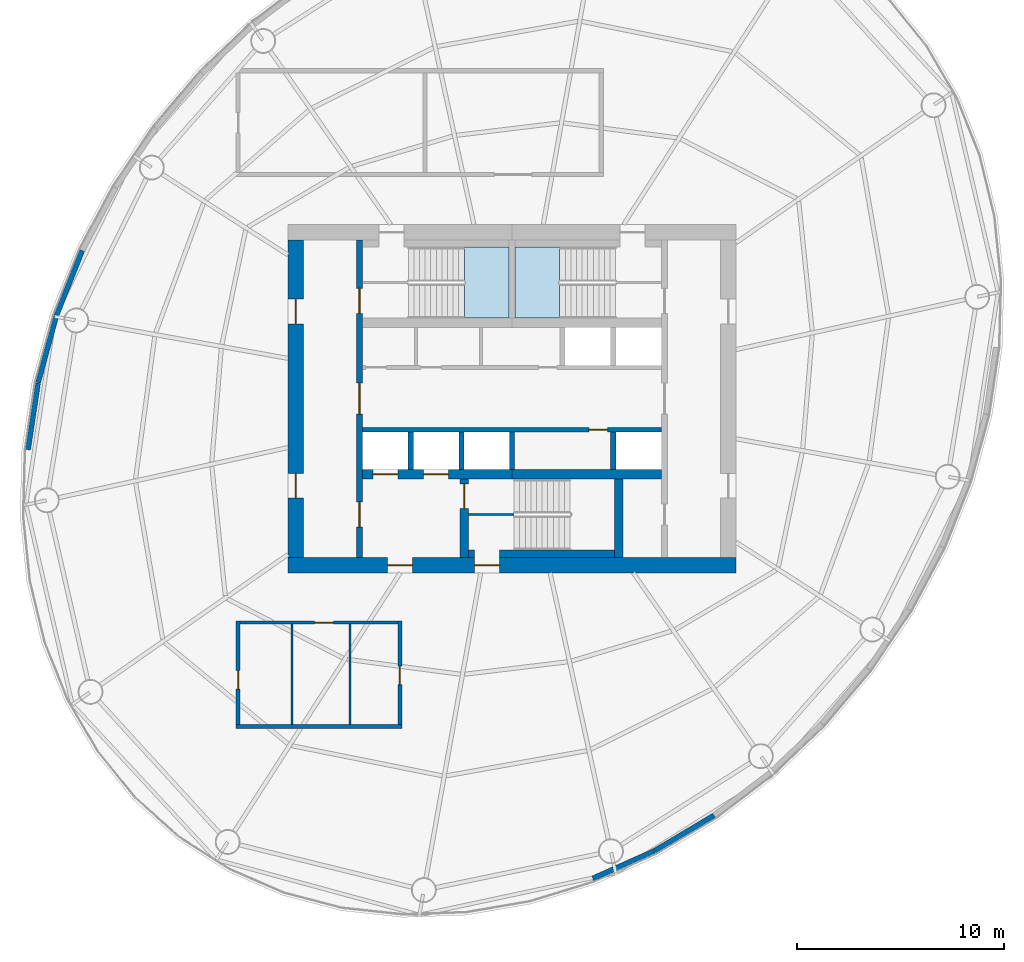
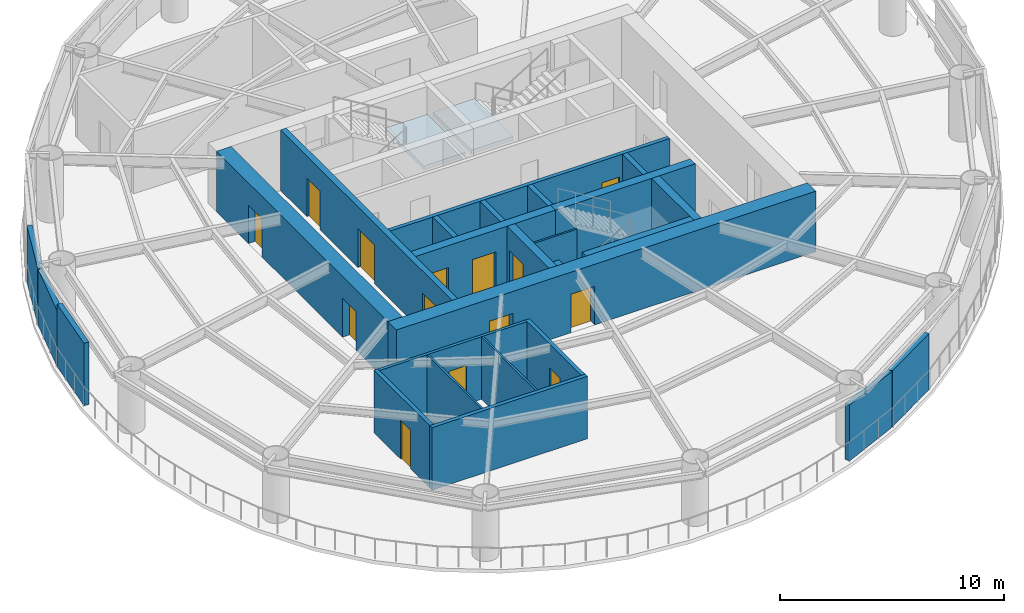
# One storey, part 3 of 8: 26 walls, 14 doors, 2 slabs, 14 openings, 2 elements without a shape of their own.
"""IFC4 building model written with IfcOpenShell, lengths in metres."""

from ifc_helpers import new_model, si_unit, direction, frame, frame_2d, origin, place, context, subcontext, project, spatial, polyline, rectangle, outline, extrude, material, layer, layer_set, type_object, element, fill, aggregate, save


model = new_model("IFC4")

# Units and contexts
model_context = context("Model", 3, precision=1e-05, world=origin(), true_north=direction((0.0, 1.0)))
body_context = subcontext(model_context, "Body", "Model", "MODEL_VIEW")
ifc_project = project(units=[si_unit("LENGTHUNIT", "METRE"), si_unit("AREAUNIT", "SQUARE_METRE"), si_unit("VOLUMEUNIT", "CUBIC_METRE"), si_unit("PLANEANGLEUNIT", "RADIAN"), si_unit("MASSUNIT", "GRAM", prefix="KILO")], contexts=[model_context])

# Site, building, storey
site_placement = place(None, origin())
site = spatial("IfcSite", under=ifc_project, at=site_placement, CompositionType="ELEMENT")
building_placement = place(site_placement, origin())
building = spatial("IfcBuilding", under=site, at=building_placement, Name="Vermilion Reach Broadcast Tower", CompositionType="ELEMENT")
storey_placement = place(building_placement, frame((0.0, 0.0, 242.5)))
storey = spatial("IfcBuildingStorey", under=building, at=storey_placement, Name="L60", CompositionType="ELEMENT", Elevation=242.5)

# Stair, slab
ifc_material_1 = material(Name="Concrete C40", Category="concrete")
stair_type = type_object("IfcStairType", Name="Exit stair RC 22 risers 164 mm", PredefinedType="HALF_TURN_STAIR", material=ifc_material_1)
placement_1 = place(storey_placement, origin())
stair_1 = element("IfcStair", 1, at=placement_1, inside=storey, type_object=stair_type, Name="L60 Exit stair ST1", PredefinedType="HALF_TURN_STAIR")
ifc_material_2 = material(Name="Concrete C40", Category="concrete")
ifc_layer_1 = layer(ifc_material_2, 0.199951171875)
ifc_layer_set_1 = layer_set([ifc_layer_1], Name="Exit stair landing Concrete C40")
slab_type = type_object("IfcSlabType", Name="Exit stair landing Concrete C40", PredefinedType="LANDING", material=ifc_layer_set_1)
placement_2 = place(storey_placement, frame((0.0, 0.0, 1.60009765625)))
slab_1 = element("IfcSlab", 2, at=placement_2, type_object=slab_type, Name="ST1 landing 1", PredefinedType="LANDING", context=body_context, shape_type="SweptSolid", body=[
    extrude(outline(polyline([(-8.300048828125, 3.8798828125), (-6.14990234375, 3.8798828125), (-6.14990234375, 7.300048828125), (-8.300048828125, 7.300048828125), (-8.300048828125, 3.8798828125)])), origin(), (0.0, 0.0, 1.0), 0.199951171875),
])
aggregate(stair_1, [slab_1])

stair_2 = element("IfcStair", 3, at=placement_1, inside=storey, type_object=stair_type, Name="L60 Exit stair ST2", PredefinedType="HALF_TURN_STAIR")
slab_2 = element("IfcSlab", 4, at=placement_2, type_object=slab_type, Name="ST2 landing 1", PredefinedType="LANDING", context=body_context, shape_type="SweptSolid", body=[
    extrude(outline(polyline([(-3.699951171875, 7.300048828125), (-5.85009765625, 7.300048828125), (-5.85009765625, 3.8798828125), (-3.699951171875, 3.8798828125), (-3.699951171875, 7.300048828125)])), origin(), (0.0, 0.0, 1.0), 0.199951171875),
])
aggregate(stair_2, [slab_2])

# Wall, openings, doors
ifc_material_3 = material(Name="Concrete C60", Category="concrete")
ifc_layer_2 = layer(ifc_material_3, 0.300048828125)
ifc_layer_set_2 = layer_set([ifc_layer_2], Name="Core inner wall 300 mm Concrete C60")
wall_type_1 = type_object("IfcWallType", Name="Core inner wall 300 mm Concrete C60", PredefinedType="SHEAR", material=ifc_layer_set_2)
wall_1_placement = place(storey_placement, frame((-13.35009765625, 7.64990234375, 0.0), z_axis=(0.0, 0.0, 1.0), x_axis=(0.0, -1.0, 0.0)))
wall_1 = element("IfcWall", 5, at=wall_1_placement, inside=storey, type_object=wall_type_1, Name="L60 core wall ewW", PredefinedType="SHEAR", context=body_context, shape_type="SweptSolid", body=[
    extrude(rectangle(XDim=15.2998046875, YDim=0.300048828125, at=frame_2d((7.64990234375, 0.0))), origin(), (0.0, 0.0, 1.0), 3.300048828125),
])
opening_1_placement = place(wall_1_placement, frame((2.340087890625, 0.0, 0.0)))
opening_1 = element("IfcOpeningElement", 6, at=opening_1_placement, cuts=wall_1, Name="Opening D01", PredefinedType="OPENING", context=body_context, shape_type="SweptSolid", body=[
    extrude(rectangle(XDim=1.199951171875, YDim=2.10009765625, at=frame_2d((0.60009765625, 1.050048828125))), frame((0.0, 0.159912109375, 0.0), z_axis=(0.0, -1.0, 0.0), x_axis=(1.0, 0.0, 0.0)), (0.0, 0.0, 1.0), 0.320068359375),
])
opening_2_placement = place(wall_1_placement, frame((12.639892578125, 0.0, 0.0)))
opening_2 = element("IfcOpeningElement", 7, at=opening_2_placement, cuts=wall_1, Name="Opening D02", PredefinedType="OPENING", context=body_context, shape_type="SweptSolid", body=[
    extrude(rectangle(XDim=1.199951171875, YDim=2.10009765625, at=frame_2d((0.60009765625, 1.050048828125))), frame((0.0, 0.159912109375, 0.0), z_axis=(0.0, -1.0, 0.0), x_axis=(1.0, 0.0, 0.0)), (0.0, 0.0, 1.0), 0.320068359375),
])
opening_3_placement = place(wall_1_placement, frame((6.89990234375, 0.0, 0.0)))
opening_3 = element("IfcOpeningElement", 8, at=opening_3_placement, cuts=wall_1, Name="Opening D04", PredefinedType="OPENING", context=body_context, shape_type="SweptSolid", body=[
    extrude(rectangle(XDim=1.5, YDim=2.10009765625, at=frame_2d((0.75, 1.050048828125))), frame((0.0, 0.159912109375, 0.0), z_axis=(0.0, -1.0, 0.0), x_axis=(1.0, 0.0, 0.0)), (0.0, 0.0, 1.0), 0.320068359375),
])
ifc_material_4 = material(Name="Painted steel fire door", Category="steel")
door_type_1 = type_object("IfcDoorType", Name="Firefighting lobby door 1200 x 2100", OperationType="DOUBLE_DOOR_SINGLE_SWING", PredefinedType="NOTDEFINED", material=ifc_material_4)
door_1_placement = place(opening_2_placement, origin())
door_1 = element("IfcDoor", 9, at=door_1_placement, inside=storey, type_object=door_type_1, Name="L60 ffdoor door FFW", OperationType="DOUBLE_DOOR_SINGLE_SWING", OverallHeight=2.10009765625, OverallWidth=1.199951171875, PredefinedType="NOTDEFINED", context=body_context, shape_type="SweptSolid", body=[
    extrude(rectangle(XDim=1.199951171875, YDim=2.10009765625, at=frame_2d((0.60009765625, 1.050048828125))), frame((0.0, 0.02490234375, 0.0), z_axis=(0.0, -1.0, 0.0), x_axis=(1.0, 0.0, 0.0)), (0.0, 0.0, 1.0), 0.050048828125),
])
fill(opening_2, door_1)
ifc_material_5 = material(Name="Painted steel fire door", Category="steel")
door_type_2 = type_object("IfcDoorType", Name="Lift lobby door 1500 x 2100", OperationType="DOUBLE_DOOR_SINGLE_SWING", PredefinedType="NOTDEFINED", material=ifc_material_5)
door_2_placement = place(opening_3_placement, origin())
door_2 = element("IfcDoor", 10, at=door_2_placement, inside=storey, type_object=door_type_2, Name="L60 band door BW", OperationType="DOUBLE_DOOR_SINGLE_SWING", OverallHeight=2.10009765625, OverallWidth=1.5, PredefinedType="NOTDEFINED", context=body_context, shape_type="SweptSolid", body=[
    extrude(rectangle(XDim=1.5, YDim=2.10009765625, at=frame_2d((0.75, 1.050048828125))), frame((0.0, 0.02490234375, 0.0), z_axis=(0.0, -1.0, 0.0), x_axis=(1.0, 0.0, 0.0)), (0.0, 0.0, 1.0), 0.050048828125),
])
fill(opening_3, door_2)
ifc_material_6 = material(Name="Painted steel fire door", Category="steel")
door_type_3 = type_object("IfcDoorType", Name="Stair door 1200 x 2100", OperationType="DOUBLE_DOOR_SINGLE_SWING", PredefinedType="NOTDEFINED", material=ifc_material_6)
door_3_placement = place(opening_1_placement, origin())
door_3 = element("IfcDoor", 11, at=door_3_placement, inside=storey, type_object=door_type_3, Name="L60 stair door ST1 departure", OperationType="DOUBLE_DOOR_SINGLE_SWING", OverallHeight=2.10009765625, OverallWidth=1.199951171875, PredefinedType="NOTDEFINED", context=body_context, shape_type="SweptSolid", body=[
    extrude(rectangle(XDim=1.199951171875, YDim=2.10009765625, at=frame_2d((0.60009765625, 1.050048828125))), frame((0.0, 0.02490234375, 0.0), z_axis=(0.0, -1.0, 0.0), x_axis=(1.0, 0.0, 0.0)), (0.0, 0.0, 1.0), 0.050048828125),
])
fill(opening_1, door_3)

# Wall, opening, door
ifc_material_7 = material(Name="Concrete C60", Category="concrete")
ifc_layer_3 = layer(ifc_material_7, 0.39990234375)
ifc_layer_set_3 = layer_set([ifc_layer_3], Name="Core inner wall 400 mm Concrete C60")
wall_type_2 = type_object("IfcWallType", Name="Core inner wall 400 mm Concrete C60", PredefinedType="SHEAR", material=ifc_layer_set_3)
wall_2_placement = place(storey_placement, frame((-8.300048828125, -3.8798828125, 0.0), z_axis=(0.0, 0.0, 1.0), x_axis=(0.0, -1.0, 0.0)))
wall_2 = element("IfcWall", 12, at=wall_2_placement, inside=storey, type_object=wall_type_2, Name="L60 core wall wa", PredefinedType="SHEAR", context=body_context, shape_type="SweptSolid", body=[
    extrude(rectangle(XDim=3.77001953125, YDim=0.39990234375, at=frame_2d((1.885009765625, 0.0))), origin(), (0.0, 0.0, 1.0), 3.300048828125),
])
opening_4_placement = place(wall_2_placement, frame((0.22998046875, 0.0, 0.0)))
opening_4 = element("IfcOpeningElement", 13, at=opening_4_placement, cuts=wall_2, Name="Opening D01", PredefinedType="OPENING", context=body_context, shape_type="SweptSolid", body=[
    extrude(rectangle(XDim=1.199951171875, YDim=2.10009765625, at=frame_2d((0.60009765625, 1.050048828125))), frame((0.0, 0.2099609375, 0.0), z_axis=(0.0, -1.0, 0.0), x_axis=(1.0, 0.0, 0.0)), (0.0, 0.0, 1.0), 0.419921875),
])
door_4_placement = place(opening_4_placement, origin())
door_4 = element("IfcDoor", 14, at=door_4_placement, inside=storey, type_object=door_type_3, Name="L60 stair door ST3 arrival", OperationType="DOUBLE_DOOR_SINGLE_SWING", OverallHeight=2.10009765625, OverallWidth=1.199951171875, PredefinedType="NOTDEFINED", context=body_context, shape_type="SweptSolid", body=[
    extrude(rectangle(XDim=1.199951171875, YDim=2.10009765625, at=frame_2d((0.60009765625, 1.050048828125))), frame((0.0, 0.02490234375, 0.0), z_axis=(0.0, -1.0, 0.0), x_axis=(1.0, 0.0, 0.0)), (0.0, 0.0, 1.0), 0.050048828125),
])
fill(opening_4, door_4)

# Wall
wall_3_placement = place(storey_placement, frame((-0.85009765625, -3.8798828125, 0.0), z_axis=(0.0, 0.0, 1.0), x_axis=(0.0, -1.0, 0.0)))
element("IfcWall", 15, at=wall_3_placement, inside=storey, type_object=wall_type_2, Name="L60 core wall wb", PredefinedType="SHEAR", context=body_context, shape_type="SweptSolid", body=[
    extrude(rectangle(XDim=3.77001953125, YDim=0.39990234375, at=frame_2d((1.885009765625, 0.0))), origin(), (0.0, 0.0, 1.0), 3.300048828125),
])

# Wall, openings, doors
ifc_material_8 = material(Name="Concrete C60", Category="concrete")
ifc_layer_4 = layer(ifc_material_8, 0.449951171875)
ifc_layer_set_4 = layer_set([ifc_layer_4], Name="Core inner wall 450 mm Concrete C60")
wall_type_3 = type_object("IfcWallType", Name="Core inner wall 450 mm Concrete C60", PredefinedType="SHEAR", material=ifc_layer_set_4)
wall_4_placement = place(storey_placement, frame((-13.199951171875, -3.655029296875, 0.0), z_axis=(0.0, 0.0, 1.0), x_axis=(1.0, 0.0, 0.0)))
wall_4 = element("IfcWall", 16, at=wall_4_placement, inside=storey, type_object=wall_type_3, Name="L60 core wall wisW", PredefinedType="SHEAR", context=body_context, shape_type="SweptSolid", body=[
    extrude(rectangle(XDim=7.199951171875, YDim=0.449951171875, at=frame_2d((3.60009765625, 0.0))), origin(), (0.0, 0.0, 1.0), 3.300048828125),
])
opening_5_placement = place(wall_4_placement, frame((0.495849609375, 0.0, 0.0)))
opening_5 = element("IfcOpeningElement", 17, at=opening_5_placement, cuts=wall_4, Name="Opening D08", PredefinedType="OPENING", context=body_context, shape_type="SweptSolid", body=[
    extrude(rectangle(XDim=1.199951171875, YDim=2.10009765625, at=frame_2d((0.60009765625, 1.050048828125))), frame((0.0, 0.23486328125, 0.0), z_axis=(0.0, -1.0, 0.0), x_axis=(1.0, 0.0, 0.0)), (0.0, 0.0, 1.0), 0.469970703125),
])
opening_6_placement = place(wall_4_placement, frame((2.9375, 0.0, 0.0)))
opening_6 = element("IfcOpeningElement", 18, at=opening_6_placement, cuts=wall_4, Name="Opening D08", PredefinedType="OPENING", context=body_context, shape_type="SweptSolid", body=[
    extrude(rectangle(XDim=1.199951171875, YDim=2.10009765625, at=frame_2d((0.60009765625, 1.050048828125))), frame((0.0, 0.23486328125, 0.0), z_axis=(0.0, -1.0, 0.0), x_axis=(1.0, 0.0, 0.0)), (0.0, 0.0, 1.0), 0.469970703125),
])
ifc_material_9 = material(Name="Stainless steel", Category="steel")
door_type_4 = type_object("IfcDoorType", Name="Firefighting lift landing door, locked in normal use 1200 x 2100", OperationType="DOUBLE_DOOR_SLIDING", PredefinedType="NOTDEFINED", material=ifc_material_9)
door_5_placement = place(opening_5_placement, origin())
door_5 = element("IfcDoor", 19, at=door_5_placement, inside=storey, type_object=door_type_4, Name="L60 firefighting lift landing door FF1 (locked in normal use)", OperationType="DOUBLE_DOOR_SLIDING", OverallHeight=2.10009765625, OverallWidth=1.199951171875, PredefinedType="NOTDEFINED", context=body_context, shape_type="SweptSolid", body=[
    extrude(rectangle(XDim=1.199951171875, YDim=2.10009765625, at=frame_2d((0.60009765625, 1.050048828125))), frame((0.0, 0.02490234375, 0.0), z_axis=(0.0, -1.0, 0.0), x_axis=(1.0, 0.0, 0.0)), (0.0, 0.0, 1.0), 0.050048828125),
])
fill(opening_5, door_5)
door_6_placement = place(opening_6_placement, origin())
door_6 = element("IfcDoor", 20, at=door_6_placement, inside=storey, type_object=door_type_4, Name="L60 firefighting lift landing door FF2 (locked in normal use)", OperationType="DOUBLE_DOOR_SLIDING", OverallHeight=2.10009765625, OverallWidth=1.199951171875, PredefinedType="NOTDEFINED", context=body_context, shape_type="SweptSolid", body=[
    extrude(rectangle(XDim=1.199951171875, YDim=2.10009765625, at=frame_2d((0.60009765625, 1.050048828125))), frame((0.0, 0.02490234375, 0.0), z_axis=(0.0, -1.0, 0.0), x_axis=(1.0, 0.0, 0.0)), (0.0, 0.0, 1.0), 0.050048828125),
])
fill(opening_6, door_6)

# Wall
wall_5_placement = place(storey_placement, frame((-6.0, -3.655029296875, 0.0), z_axis=(0.0, 0.0, 1.0), x_axis=(1.0, 0.0, 0.0)))
element("IfcWall", 21, at=wall_5_placement, inside=storey, type_object=wall_type_3, Name="L60 core wall wisE", PredefinedType="SHEAR", context=body_context, shape_type="SweptSolid", body=[
    extrude(rectangle(XDim=7.199951171875, YDim=0.449951171875, at=frame_2d((3.60009765625, 0.0))), origin(), (0.0, 0.0, 1.0), 3.300048828125),
])

# Wall, openings, doors
ifc_material_10 = material(Name="Concrete C60", Category="concrete")
ifc_layer_5 = layer(ifc_material_10, 0.75)
ifc_layer_set_5 = layer_set([ifc_layer_5], Name="Core outer wall 750 mm Concrete C60")
wall_type_4 = type_object("IfcWallType", Name="Core outer wall 750 mm Concrete C60", PredefinedType="SHEAR", material=ifc_layer_set_5)
wall_6_placement = place(storey_placement, frame((-16.800048828125, -8.02490234375, 0.0), z_axis=(0.0, 0.0, 1.0), x_axis=(1.0, 0.0, 0.0)))
wall_6 = element("IfcWall", 22, at=wall_6_placement, inside=storey, type_object=wall_type_4, Name="L60 core wall os", PredefinedType="SHEAR", context=body_context, shape_type="SweptSolid", body=[
    extrude(rectangle(XDim=21.60009765625, YDim=0.75, at=frame_2d((10.800048828125, 0.0))), origin(), (0.0, 0.0, 1.0), 3.300048828125),
])
opening_7_placement = place(wall_6_placement, frame((9.0, 0.0, 0.0)))
opening_7 = element("IfcOpeningElement", 23, at=opening_7_placement, cuts=wall_6, Name="Opening D01", PredefinedType="OPENING", context=body_context, shape_type="SweptSolid", body=[
    extrude(rectangle(XDim=1.199951171875, YDim=2.10009765625, at=frame_2d((0.60009765625, 1.050048828125))), frame((0.0, 0.385009765625, 0.0), z_axis=(0.0, -1.0, 0.0), x_axis=(1.0, 0.0, 0.0)), (0.0, 0.0, 1.0), 0.77001953125),
])
opening_8_placement = place(wall_6_placement, frame((4.800048828125, 0.0, 0.0)))
opening_8 = element("IfcOpeningElement", 24, at=opening_8_placement, cuts=wall_6, Name="Opening D02", PredefinedType="OPENING", context=body_context, shape_type="SweptSolid", body=[
    extrude(rectangle(XDim=1.199951171875, YDim=2.10009765625, at=frame_2d((0.60009765625, 1.050048828125))), frame((0.0, 0.385009765625, 0.0), z_axis=(0.0, -1.0, 0.0), x_axis=(1.0, 0.0, 0.0)), (0.0, 0.0, 1.0), 0.77001953125),
])
door_7_placement = place(opening_8_placement, origin())
door_7 = element("IfcDoor", 25, at=door_7_placement, inside=storey, type_object=door_type_1, Name="L60 ffdoor door FFL", OperationType="DOUBLE_DOOR_SINGLE_SWING", OverallHeight=2.10009765625, OverallWidth=1.199951171875, PredefinedType="NOTDEFINED", context=body_context, shape_type="SweptSolid", body=[
    extrude(rectangle(XDim=1.199951171875, YDim=2.10009765625, at=frame_2d((0.60009765625, 1.050048828125))), frame((0.0, 0.02490234375, 0.0), z_axis=(0.0, -1.0, 0.0), x_axis=(1.0, 0.0, 0.0)), (0.0, 0.0, 1.0), 0.050048828125),
])
fill(opening_8, door_7)
door_8_placement = place(opening_7_placement, origin())
door_8 = element("IfcDoor", 26, at=door_8_placement, inside=storey, type_object=door_type_3, Name="L60 stair door ST3 departure", OperationType="DOUBLE_DOOR_SINGLE_SWING", OverallHeight=2.10009765625, OverallWidth=1.199951171875, PredefinedType="NOTDEFINED", context=body_context, shape_type="SweptSolid", body=[
    extrude(rectangle(XDim=1.199951171875, YDim=2.10009765625, at=frame_2d((0.60009765625, 1.050048828125))), frame((0.0, 0.02490234375, 0.0), z_axis=(0.0, -1.0, 0.0), x_axis=(1.0, 0.0, 0.0)), (0.0, 0.0, 1.0), 0.050048828125),
])
fill(opening_7, door_8)

wall_7_placement = place(storey_placement, frame((-16.425048828125, 7.64990234375, 0.0), z_axis=(0.0, 0.0, 1.0), x_axis=(0.0, -1.0, 0.0)))
wall_7 = element("IfcWall", 27, at=wall_7_placement, inside=storey, type_object=wall_type_4, Name="L60 core wall ow", PredefinedType="SHEAR", context=body_context, shape_type="SweptSolid", body=[
    extrude(rectangle(XDim=15.2998046875, YDim=0.75, at=frame_2d((7.64990234375, 0.0))), origin(), (0.0, 0.0, 1.0), 3.300048828125),
])
opening_9_placement = place(wall_7_placement, frame((11.25, 0.0, 0.0)))
opening_9 = element("IfcOpeningElement", 28, at=opening_9_placement, cuts=wall_7, Name="Opening D03", PredefinedType="OPENING", context=body_context, shape_type="SweptSolid", body=[
    extrude(rectangle(XDim=1.199951171875, YDim=2.10009765625, at=frame_2d((0.60009765625, 1.050048828125))), frame((0.0, 0.385009765625, 0.0), z_axis=(0.0, -1.0, 0.0), x_axis=(1.0, 0.0, 0.0)), (0.0, 0.0, 1.0), 0.77001953125),
])
opening_10_placement = place(wall_7_placement, frame((2.85009765625, 0.0, 0.0)))
opening_10 = element("IfcOpeningElement", 29, at=opening_10_placement, cuts=wall_7, Name="Opening D03", PredefinedType="OPENING", context=body_context, shape_type="SweptSolid", body=[
    extrude(rectangle(XDim=1.199951171875, YDim=2.10009765625, at=frame_2d((0.60009765625, 1.050048828125))), frame((0.0, 0.385009765625, 0.0), z_axis=(0.0, -1.0, 0.0), x_axis=(1.0, 0.0, 0.0)), (0.0, 0.0, 1.0), 0.77001953125),
])
ifc_material_11 = material(Name="Painted steel fire door", Category="steel")
door_type_5 = type_object("IfcDoorType", Name="Core lobby door 1200 x 2100", OperationType="DOUBLE_DOOR_SINGLE_SWING", PredefinedType="NOTDEFINED", material=ifc_material_11)
door_9_placement = place(opening_9_placement, origin())
door_9 = element("IfcDoor", 30, at=door_9_placement, inside=storey, type_object=door_type_5, Name="L60 slot door W0", OperationType="DOUBLE_DOOR_SINGLE_SWING", OverallHeight=2.10009765625, OverallWidth=1.199951171875, PredefinedType="NOTDEFINED", context=body_context, shape_type="SweptSolid", body=[
    extrude(rectangle(XDim=1.199951171875, YDim=2.10009765625, at=frame_2d((0.60009765625, 1.050048828125))), frame((0.0, 0.02490234375, 0.0), z_axis=(0.0, -1.0, 0.0), x_axis=(1.0, 0.0, 0.0)), (0.0, 0.0, 1.0), 0.050048828125),
])
fill(opening_9, door_9)
door_10_placement = place(opening_10_placement, origin())
door_10 = element("IfcDoor", 31, at=door_10_placement, inside=storey, type_object=door_type_5, Name="L60 slot door W1", OperationType="DOUBLE_DOOR_SINGLE_SWING", OverallHeight=2.10009765625, OverallWidth=1.199951171875, PredefinedType="NOTDEFINED", context=body_context, shape_type="SweptSolid", body=[
    extrude(rectangle(XDim=1.199951171875, YDim=2.10009765625, at=frame_2d((0.60009765625, 1.050048828125))), frame((0.0, 0.02490234375, 0.0), z_axis=(0.0, -1.0, 0.0), x_axis=(1.0, 0.0, 0.0)), (0.0, 0.0, 1.0), 0.050048828125),
])
fill(opening_10, door_10)

# Wall, opening, door
ifc_material_12 = material(Name="Concrete C50", Category="concrete")
ifc_layer_6 = layer(ifc_material_12, 0.199951171875)
ifc_layer_set_6 = layer_set([ifc_layer_6], Name="Core shaft wall 200 mm Concrete C50")
wall_type_5 = type_object("IfcWallType", Name="Core shaft wall 200 mm Concrete C50", PredefinedType="SHEAR", material=ifc_layer_set_6)
wall_8_placement = place(storey_placement, frame((1.199951171875, -1.5, 0.0), z_axis=(0.0, 0.0, 1.0), x_axis=(-1.0, 0.0, 0.0)))
wall_8 = element("IfcWall", 32, at=wall_8_placement, inside=storey, type_object=wall_type_5, Name="L60 core wall fs", PredefinedType="SHEAR", context=body_context, shape_type="SweptSolid", body=[
    extrude(rectangle(XDim=14.39990234375, YDim=0.199951171875, at=frame_2d((7.199951171875, 0.0))), origin(), (0.0, 0.0, 1.0), 3.300048828125),
])
opening_11_placement = place(wall_8_placement, frame((2.591552734375, 0.0, 0.0)))
opening_11 = element("IfcOpeningElement", 33, at=opening_11_placement, cuts=wall_8, Name="Opening D06", PredefinedType="OPENING", context=body_context, shape_type="SweptSolid", body=[
    extrude(rectangle(XDim=0.89990234375, YDim=2.10009765625, at=frame_2d((0.449951171875, 1.050048828125))), frame((0.0, 0.10986328125, 0.0), z_axis=(0.0, -1.0, 0.0), x_axis=(1.0, 0.0, 0.0)), (0.0, 0.0, 1.0), 0.219970703125),
])
ifc_material_13 = material(Name="Timber door", Category="wood")
door_type_6 = type_object("IfcDoorType", Name="WC door 900 x 2100", OperationType="NOTDEFINED", PredefinedType="NOTDEFINED", material=ifc_material_13)
door_11_placement = place(opening_11_placement, origin())
door_11 = element("IfcDoor", 34, at=door_11_placement, inside=storey, type_object=door_type_6, Name="L60 door Female WC", OperationType="SINGLE_SWING_LEFT", OverallHeight=2.10009765625, OverallWidth=0.89990234375, PredefinedType="NOTDEFINED", context=body_context, shape_type="SweptSolid", body=[
    extrude(rectangle(XDim=0.89990234375, YDim=2.10009765625, at=frame_2d((0.449951171875, 1.050048828125))), frame((0.0, 0.02490234375, 0.0), z_axis=(0.0, -1.0, 0.0), x_axis=(1.0, 0.0, 0.0)), (0.0, 0.0, 1.0), 0.050048828125),
])
fill(opening_11, door_11)

# Walls
ifc_material_14 = material(Name="Concrete C50", Category="concrete")
ifc_layer_7 = layer(ifc_material_14, 0.25)
ifc_layer_set_7 = layer_set([ifc_layer_7], Name="Core shaft wall 250 mm Concrete C50")
wall_type_6 = type_object("IfcWallType", Name="Core shaft wall 250 mm Concrete C50", PredefinedType="SHEAR", material=ifc_layer_set_7)
for number, where, z_axis, x_axis, name in (
    (35, (-10.88330078125, -1.60009765625, 0.0), (0.0, 0.0, 1.0), (0.0, -1.0, 0.0), "L60 core wall psS0"),
    (36, (-8.441650390625, -1.60009765625, 0.0), (0.0, 0.0, 1.0), (0.0, -1.0, 0.0), "L60 core wall psS1"),
    (37, (-6.0, -1.60009765625, 0.0), (0.0, 0.0, 1.0), (0.0, -1.0, 0.0), "L60 core wall psS2"),
    (38, (-1.11669921875, -1.60009765625, 0.0), (0.0, 0.0, 1.0), (0.0, -1.0, 0.0), "L60 core wall psS4"),
):
    element("IfcWall", number, at=place(storey_placement, frame(where, z_axis=z_axis, x_axis=x_axis)), inside=storey, type_object=wall_type_6, Name=name, PredefinedType="SHEAR", context=body_context, shape_type="SweptSolid", body=[
        extrude(rectangle(XDim=1.829833984375, YDim=0.25, at=frame_2d((0.9150390625, 0.0))), origin(), (0.0, 0.0, 1.0), 3.300048828125),
    ])
ifc_material_15 = material(Name="Concrete C60", Category="concrete")
ifc_layer_8 = layer(ifc_material_15, 0.10009765625)
ifc_layer_set_8 = layer_set([ifc_layer_8], Name="Core stair wall 100 mm Concrete C60")
wall_type_7 = type_object("IfcWallType", Name="Core stair wall 100 mm Concrete C60", PredefinedType="SHEAR", material=ifc_layer_set_8)
wall_9_placement = place(storey_placement, frame((-8.10009765625, -5.590087890625, 0.0), z_axis=(0.0, 0.0, 1.0), x_axis=(1.0, 0.0, 0.0)))
element("IfcWall", 39, at=wall_9_placement, inside=storey, type_object=wall_type_7, Name="L60 core wall dv3", PredefinedType="SHEAR", context=body_context, shape_type="SweptSolid", body=[
    extrude(rectangle(XDim=2.2001953125, YDim=0.10009765625, at=frame_2d((1.10009765625, 0.0))), origin(), (0.0, 0.0, 1.0), 3.300048828125),
])
ifc_material_16 = material(Name="Concrete C60", Category="concrete")
ifc_layer_9 = layer(ifc_material_16, 0.35009765625)
ifc_layer_set_9 = layer_set([ifc_layer_9], Name="Core stair wall 350 mm Concrete C60")
wall_type_8 = type_object("IfcWallType", Name="Core stair wall 350 mm Concrete C60", PredefinedType="SHEAR", material=ifc_layer_set_9)
wall_10_placement = place(storey_placement, frame((-8.10009765625, -7.47509765625, 0.0), z_axis=(0.0, 0.0, 1.0), x_axis=(1.0, 0.0, 0.0)))
element("IfcWall", 40, at=wall_10_placement, inside=storey, type_object=wall_type_8, Name="L60 core wall l3a", PredefinedType="SHEAR", context=body_context, shape_type="SweptSolid", body=[
    extrude(rectangle(XDim=0.300048828125, YDim=0.35009765625, at=frame_2d((0.14990234375, 0.0))), origin(), (0.0, 0.0, 1.0), 3.300048828125),
])
wall_11_placement = place(storey_placement, frame((-6.60009765625, -7.47509765625, 0.0), z_axis=(0.0, 0.0, 1.0), x_axis=(1.0, 0.0, 0.0)))
element("IfcWall", 41, at=wall_11_placement, inside=storey, type_object=wall_type_8, Name="L60 core wall l3b", PredefinedType="SHEAR", context=body_context, shape_type="SweptSolid", body=[
    extrude(rectangle(XDim=5.550048828125, YDim=0.35009765625, at=frame_2d((2.77490234375, 0.0))), origin(), (0.0, 0.0, 1.0), 3.300048828125),
])

# Wall, opening, door
ifc_material_17 = material(Name="Gypsum board partition")
ifc_layer_10 = layer(ifc_material_17, 0.14990234375)
ifc_layer_set_10 = layer_set([ifc_layer_10], Name="Corridor wall 150")
wall_type_9 = type_object("IfcWallType", Name="Corridor wall 150", PredefinedType="PARTITIONING", material=ifc_layer_set_10)
wall_12_placement = place(storey_placement, frame((-19.10009765625, -10.800048828125, 0.0), z_axis=(0.0, 0.0, 1.0), x_axis=(1.0, 0.0, 0.0)))
wall_12 = element("IfcWall", 42, at=wall_12_placement, inside=storey, type_object=wall_type_9, Name="sp.wall.L60.001", PredefinedType="PARTITIONING", context=body_context, shape_type="SweptSolid", body=[
    extrude(rectangle(XDim=7.600341796875, YDim=0.14990234375, at=frame_2d((3.80029296875, 0.0))), origin(), (0.0, 0.0, 1.0), 3.39990234375),
])
opening_12_placement = place(wall_12_placement, frame((3.585693359375, 0.0, 0.0)))
opening_12 = element("IfcOpeningElement", 43, at=opening_12_placement, cuts=wall_12, Name="Opening D51", PredefinedType="OPENING", context=body_context, shape_type="SweptSolid", body=[
    extrude(rectangle(XDim=0.89990234375, YDim=2.10009765625, at=frame_2d((0.449951171875, 1.050048828125))), frame((0.0, 0.0849609375, 0.0), z_axis=(0.0, -1.0, 0.0), x_axis=(1.0, 0.0, 0.0)), (0.0, 0.0, 1.0), 0.169921875),
])
ifc_material_18 = material(Name="Timber and steel door set", Category="steel")
door_type_7 = type_object("IfcDoorType", Name="Door 900x2100 WC", OperationType="NOTDEFINED", PredefinedType="DOOR", material=ifc_material_18)
door_12_placement = place(opening_12_placement, origin())
door_12 = element("IfcDoor", 44, at=door_12_placement, inside=storey, type_object=door_type_7, Name="sp.door.L60.003", OperationType="SINGLE_SWING_RIGHT", OverallHeight=2.10009765625, OverallWidth=0.89990234375, PredefinedType="DOOR", context=body_context, shape_type="SweptSolid", body=[
    extrude(rectangle(XDim=0.89990234375, YDim=2.10009765625, at=frame_2d((0.449951171875, 1.050048828125))), frame((0.0, 0.02490234375, 0.0), z_axis=(0.0, -1.0, 0.0), x_axis=(1.0, 0.0, 0.0)), (0.0, 0.0, 1.0), 0.050048828125),
])
fill(opening_12, door_12)

# Walls
ifc_material_19 = material(Name="Anodised aluminium louvre cladding", Category="aluminium")
ifc_layer_11 = layer(ifc_material_19, 0.25)
ifc_layer_set_11 = layer_set([ifc_layer_11], Name="Plant louvre wall 250")
wall_type_10 = type_object("IfcWallType", Name="Plant louvre wall 250", PredefinedType="SOLIDWALL", material=ifc_layer_set_11)
wall_13_placement = place(storey_placement, frame((-28.849609375, 0.74853515625, 0.0), z_axis=(0.0, 0.0, 1.0), x_axis=(-0.147814951337, -0.989015035357, 0.0)))
element("IfcWall", 45, at=wall_13_placement, inside=storey, type_object=wall_type_10, Name="Refuge louvre wall L60 16", PredefinedType="SOLIDWALL", context=body_context, shape_type="SweptSolid", body=[
    extrude(rectangle(XDim=3.248779296875, YDim=0.25, at=frame_2d((1.62451171875, 0.0))), origin(), (0.0, 0.0, 1.0), 3.39990234375),
])
ifc_material_20 = material(Name="Anodised aluminium louvre cladding", Category="aluminium")
ifc_layer_12 = layer(ifc_material_20, 0.25)
ifc_layer_set_12 = layer_set([ifc_layer_12], Name="Plant louvre wall 250, head 350 below soffit")
wall_type_11 = type_object("IfcWallType", Name="Plant louvre wall 250, head 350 below soffit", PredefinedType="SOLIDWALL", material=ifc_layer_set_12)
wall_14_placement = place(storey_placement, frame((-26.722900390625, 7.1298828125, 0.0), z_axis=(0.0, 0.0, 1.0), x_axis=(-0.369081661505, -0.929396969621, 0.0)))
element("IfcWall", 46, at=wall_14_placement, inside=storey, type_object=wall_type_11, Name="Refuge louvre wall L60 14", PredefinedType="SOLIDWALL", context=body_context, shape_type="SweptSolid", body=[
    extrude(rectangle(XDim=3.374267578125, YDim=0.25, at=frame_2d((1.68701171875, 0.0))), origin(), (0.0, 0.0, 1.0), 3.050048828125),
])
wall_15_placement = place(storey_placement, frame((-27.97509765625, 3.972900390625, 0.0), z_axis=(0.0, 0.0, 1.0), x_axis=(-0.262133680593, -0.965031571244, 0.0)))
element("IfcWall", 47, at=wall_15_placement, inside=storey, type_object=wall_type_11, Name="Refuge louvre wall L60 15", PredefinedType="SOLIDWALL", context=body_context, shape_type="SweptSolid", body=[
    extrude(rectangle(XDim=3.318359375, YDim=0.25, at=frame_2d((1.6591796875, 0.0))), origin(), (0.0, 0.0, 1.0), 3.050048828125),
])
wall_16_placement = place(storey_placement, frame((-2.10009765625, -23.133056640625, 0.0), z_axis=(0.0, 0.0, 1.0), x_axis=(0.912863949032, 0.40826389818, 0.0)))
element("IfcWall", 48, at=wall_16_placement, inside=storey, type_object=wall_type_11, Name="Refuge louvre wall L60 31", PredefinedType="SOLIDWALL", context=body_context, shape_type="SweptSolid", body=[
    extrude(rectangle(XDim=3.2490234375, YDim=0.25, at=frame_2d((1.62451171875, 0.0))), origin(), (0.0, 0.0, 1.0), 3.050048828125),
])
wall_17_placement = place(storey_placement, frame((0.8857421875, -21.796142578125, 0.0), z_axis=(0.0, 0.0, 1.0), x_axis=(0.858982444498, 0.51200503908, 0.0)))
element("IfcWall", 49, at=wall_17_placement, inside=storey, type_object=wall_type_11, Name="Refuge louvre wall L60 32", PredefinedType="SOLIDWALL", context=body_context, shape_type="SweptSolid", body=[
    extrude(rectangle(XDim=3.318359375, YDim=0.25, at=frame_2d((1.6591796875, 0.0))), origin(), (0.0, 0.0, 1.0), 3.050048828125),
])

# Wall, opening, door
ifc_material_21 = material(Name="Gypsum board shaft wall")
ifc_layer_13 = layer(ifc_material_21, 0.199951171875)
ifc_layer_set_13 = layer_set([ifc_layer_13], Name="Refuge enclosure wall 200")
wall_type_12 = type_object("IfcWallType", Name="Refuge enclosure wall 200", PredefinedType="PARTITIONING", material=ifc_layer_set_13)
wall_18_placement = place(storey_placement, frame((-19.199951171875, -10.72509765625, 0.0), z_axis=(0.0, 0.0, 1.0), x_axis=(0.0, -1.0, 0.0)))
wall_18 = element("IfcWall", 50, at=wall_18_placement, inside=storey, type_object=wall_type_12, Name="sp.wall.L60.007", PredefinedType="PARTITIONING", context=body_context, shape_type="SweptSolid", body=[
    extrude(rectangle(XDim=4.974853515625, YDim=0.199951171875, at=frame_2d((2.4873046875, 0.0))), origin(), (0.0, 0.0, 1.0), 3.39990234375),
])
opening_13_placement = place(wall_18_placement, frame((2.381591796875, 0.0, 0.0)))
opening_13 = element("IfcOpeningElement", 51, at=opening_13_placement, cuts=wall_18, Name="Opening D51", PredefinedType="OPENING", context=body_context, shape_type="SweptSolid", body=[
    extrude(rectangle(XDim=0.89990234375, YDim=2.10009765625, at=frame_2d((0.449951171875, 1.050048828125))), frame((0.0, 0.10986328125, 0.0), z_axis=(0.0, -1.0, 0.0), x_axis=(1.0, 0.0, 0.0)), (0.0, 0.0, 1.0), 0.219970703125),
])
door_13_placement = place(opening_13_placement, origin())
door_13 = element("IfcDoor", 52, at=door_13_placement, inside=storey, type_object=door_type_7, Name="sp.door.L60.002", OperationType="SINGLE_SWING_LEFT", OverallHeight=2.10009765625, OverallWidth=0.89990234375, PredefinedType="DOOR", context=body_context, shape_type="SweptSolid", body=[
    extrude(rectangle(XDim=0.89990234375, YDim=2.10009765625, at=frame_2d((0.449951171875, 1.050048828125))), frame((0.0, 0.02490234375, 0.0), z_axis=(0.0, -1.0, 0.0), x_axis=(1.0, 0.0, 0.0)), (0.0, 0.0, 1.0), 0.050048828125),
])
fill(opening_13, door_13)

# Wall
wall_19_placement = place(storey_placement, frame((-19.300048828125, -15.800048828125, 0.0), z_axis=(0.0, 0.0, 1.0), x_axis=(1.0, 0.0, 0.0)))
element("IfcWall", 53, at=wall_19_placement, inside=storey, type_object=wall_type_12, Name="sp.wall.L60.008", PredefinedType="PARTITIONING", context=body_context, shape_type="SweptSolid", body=[
    extrude(rectangle(XDim=8.0, YDim=0.199951171875, at=frame_2d((4.0, 0.0))), origin(), (0.0, 0.0, 1.0), 3.39990234375),
])

# Wall, opening, door
wall_20_placement = place(storey_placement, frame((-11.39990234375, -10.72509765625, 0.0), z_axis=(0.0, 0.0, 1.0), x_axis=(0.0, -1.0, 0.0)))
wall_20 = element("IfcWall", 54, at=wall_20_placement, inside=storey, type_object=wall_type_12, Name="sp.wall.L60.010", PredefinedType="PARTITIONING", context=body_context, shape_type="SweptSolid", body=[
    extrude(rectangle(XDim=4.974853515625, YDim=0.199951171875, at=frame_2d((2.4873046875, 0.0))), origin(), (0.0, 0.0, 1.0), 3.39990234375),
])
opening_14_placement = place(wall_20_placement, frame((2.166748046875, 0.0, 0.0)))
opening_14 = element("IfcOpeningElement", 55, at=opening_14_placement, cuts=wall_20, Name="Opening D51", PredefinedType="OPENING", context=body_context, shape_type="SweptSolid", body=[
    extrude(rectangle(XDim=0.89990234375, YDim=2.10009765625, at=frame_2d((0.449951171875, 1.050048828125))), frame((0.0, 0.10986328125, 0.0), z_axis=(0.0, -1.0, 0.0), x_axis=(1.0, 0.0, 0.0)), (0.0, 0.0, 1.0), 0.219970703125),
])
door_14_placement = place(opening_14_placement, origin())
door_14 = element("IfcDoor", 56, at=door_14_placement, inside=storey, type_object=door_type_7, Name="sp.door.L60.004", OperationType="SINGLE_SWING_LEFT", OverallHeight=2.10009765625, OverallWidth=0.89990234375, PredefinedType="DOOR", context=body_context, shape_type="SweptSolid", body=[
    extrude(rectangle(XDim=0.89990234375, YDim=2.10009765625, at=frame_2d((0.449951171875, 1.050048828125))), frame((0.0, 0.02490234375, 0.0), z_axis=(0.0, -1.0, 0.0), x_axis=(1.0, 0.0, 0.0)), (0.0, 0.0, 1.0), 0.050048828125),
])
fill(opening_14, door_14)

# Walls
ifc_material_22 = material(Name="Gypsum board partition")
ifc_layer_14 = layer(ifc_material_22, 0.10009765625)
ifc_layer_set_14 = layer_set([ifc_layer_14], Name="WC partition 100")
wall_type_13 = type_object("IfcWallType", Name="WC partition 100", PredefinedType="PARTITIONING", material=ifc_layer_set_14)
for number, where, z_axis, x_axis, name in (
    (57, (-16.60009765625, -15.699951171875, 0.0), (0.0, 0.0, 1.0), (0.0, 1.0, 0.0), "sp.wall.L60.006"),
    (58, (-13.800048828125, -15.699951171875, 0.0), (0.0, 0.0, 1.0), (0.0, 1.0, 0.0), "sp.wall.L60.009"),
):
    element("IfcWall", number, at=place(storey_placement, frame(where, z_axis=z_axis, x_axis=x_axis)), inside=storey, type_object=wall_type_13, Name=name, PredefinedType="PARTITIONING", context=body_context, shape_type="SweptSolid", body=[
        extrude(rectangle(XDim=4.824951171875, YDim=0.10009765625, at=frame_2d((2.41259765625, 0.0))), origin(), (0.0, 0.0, 1.0), 3.39990234375),
    ])

save(model, "model.ifc")
